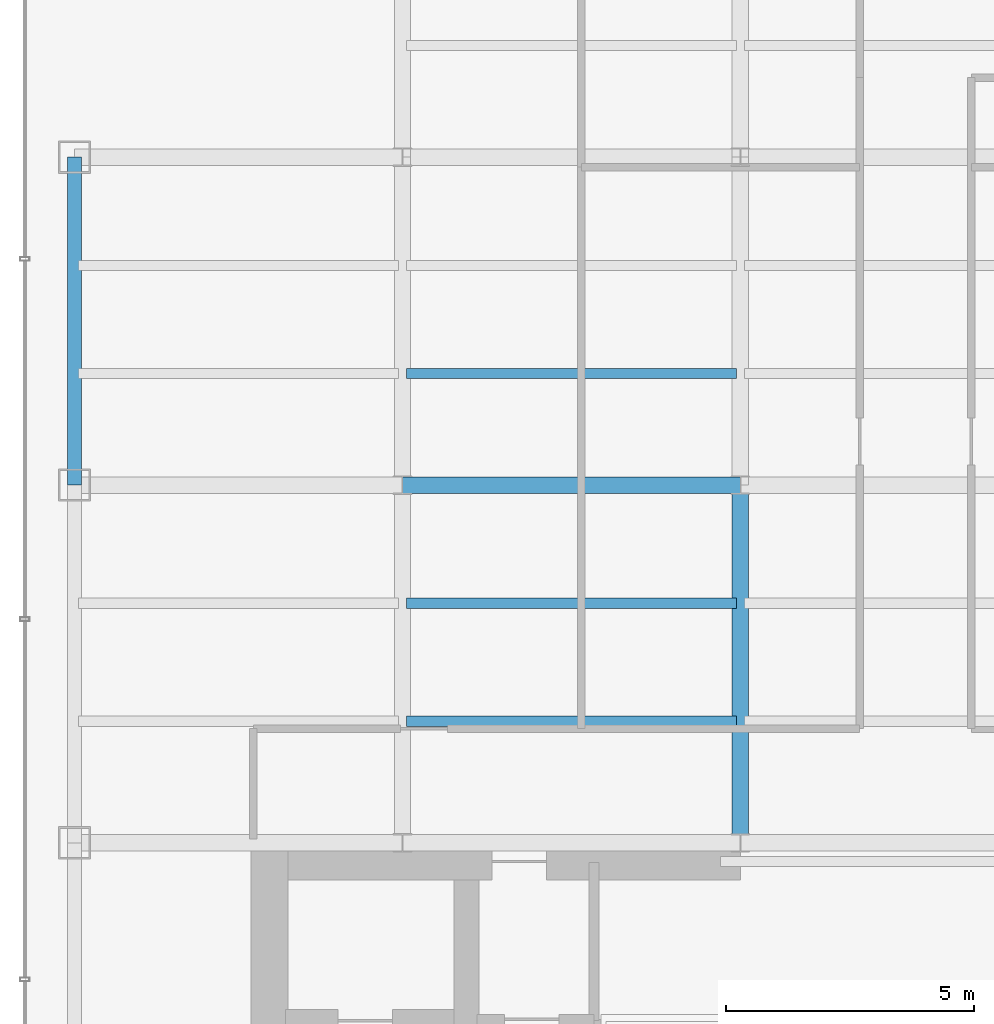
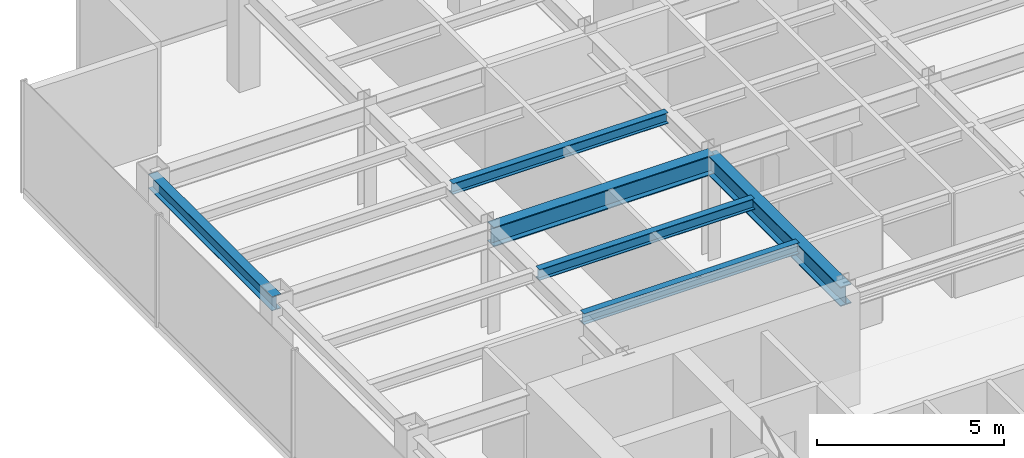
# One storey, part 6 of 25: 6 beams.
"""IFC4 building model written with IfcOpenShell, lengths in metres."""

import ifcopenshell
import ifcopenshell.guid

model = None  # the IFC model being written
_history = None  # IfcOwnerHistory: only IFC2X3 demands one
_inside = {}  # id of a spatial element -> (the spatial element, [elements in it])
_under = {}  # id of a project, library or spatial element -> (it, [spatial elements below it])
_declared = {}  # id of a project -> (the project, [libraries it declares])
_typed = {}  # id of a type object -> (the type object, [elements of that type])
_made_of = {}  # id of a material, layer set ... -> (it, [elements and type objects made of it])


def new_model(schema):
    """Start an empty IFC model of exactly this schema.

    Asked for "IFC4X3", IfcOpenShell would pick the latest addendum, in which some entities
    have other attributes; the version numbers below select the first issue.
    IFC2X3 requires an IfcOwnerHistory on every rooted entity: one is made here for all.
    """
    global model, _history
    if schema == "IFC4X3":
        model = ifcopenshell.file(schema_version=(4, 3, 0, 0))
    else:
        model = ifcopenshell.file(schema=schema)
    _inside.clear()
    _under.clear()
    _declared.clear()
    _typed.clear()
    _made_of.clear()
    _history = None
    if model.schema == "IFC2X3":
        org = make("IfcOrganization", Name="unknown")
        user = make(
            "IfcPersonAndOrganization",
            ThePerson=make("IfcPerson", FamilyName="unknown"),
            TheOrganization=org,
        )
        app = make(
            "IfcApplication",
            ApplicationDeveloper=org,
            Version="unknown",
            ApplicationFullName="unknown",
            ApplicationIdentifier="unknown",
        )
        _history = make(
            "IfcOwnerHistory",
            OwningUser=user,
            OwningApplication=app,
            ChangeAction="ADDED",
            CreationDate=0,
        )
    return model


def make(cls, **values):
    """One entity of the class cls with the attributes given. An attribute that is None is left unset."""
    return model.create_entity(
        cls, **{name: value for name, value in values.items() if value is not None}
    )


def rooted(cls, **values):
    """An entity with a GlobalId (a new one), such as an element, a storey or a relation."""
    return make(cls, GlobalId=ifcopenshell.guid.new(), OwnerHistory=_history, **values)


def si_unit(unit_type, name, prefix=None):
    """IfcSIUnit, for example si_unit("LENGTHUNIT", "METRE", prefix="MILLI")."""
    return make("IfcSIUnit", UnitType=unit_type, Prefix=prefix, Name=name)


def derived_unit(unit_type, elements):
    """IfcDerivedUnit: a product of units, each with its exponent."""
    return make(
        "IfcDerivedUnit",
        Elements=[
            make("IfcDerivedUnitElement", Unit=unit, Exponent=power)
            for unit, power in elements
        ],
        UnitType=unit_type,
    )


def assignment(units):
    """IfcUnitAssignment: the units of a project."""
    return None if units is None else make("IfcUnitAssignment", Units=units)


def point(xyz):
    """IfcCartesianPoint."""
    return None if xyz is None else make("IfcCartesianPoint", Coordinates=xyz)


def direction(xyz):
    """IfcDirection."""
    return None if xyz is None else make("IfcDirection", DirectionRatios=xyz)


def frame(location, z_axis=None, x_axis=None):
    """IfcAxis2Placement3D, a coordinate frame: its origin and axes. An axis left out is left unset."""
    return make(
        "IfcAxis2Placement3D",
        Location=point(location),
        Axis=direction(z_axis),
        RefDirection=direction(x_axis),
    )


def frame_2d(location, x_axis=None):
    """IfcAxis2Placement2D, a coordinate frame in the plane: its origin and x axis."""
    return make(
        "IfcAxis2Placement2D", Location=point(location), RefDirection=direction(x_axis)
    )


def origin():
    """The frame at (0, 0, 0) with its axes left unset."""
    return frame((0.0, 0.0, 0.0))


def origin_2d():
    """The frame at (0, 0) in the plane with its x axis left unset."""
    return frame_2d((0.0, 0.0))


def place(relative_to, where):
    """IfcLocalPlacement: puts the frame where relative to a parent placement (None: the world)."""
    return make(
        "IfcLocalPlacement", PlacementRelTo=relative_to, RelativePlacement=where
    )


def context(
    kind, dimensions, precision=None, world=None, true_north=None, identifier=None
):
    """IfcGeometricRepresentationContext, for example the 3D "Model" context."""
    return make(
        "IfcGeometricRepresentationContext",
        ContextIdentifier=identifier,
        ContextType=kind,
        CoordinateSpaceDimension=dimensions,
        Precision=precision,
        WorldCoordinateSystem=world,
        TrueNorth=true_north,
    )


def subcontext(parent, identifier, kind, view, scale=None):
    """IfcGeometricRepresentationSubContext, for example "Body" below "Model"."""
    return make(
        "IfcGeometricRepresentationSubContext",
        ContextIdentifier=identifier,
        ContextType=kind,
        ParentContext=parent,
        TargetScale=scale,
        TargetView=view,
    )


def project(units=None, contexts=None):
    """IfcProject with its units and contexts."""
    return rooted(
        "IfcProject",
        Name="project",
        RepresentationContexts=contexts,
        UnitsInContext=assignment(units),
    )


def spatial(cls, under=None, at=None, **own):
    """A site, building, storey or space (cls), placed at a placement, below another one or the project."""
    s = rooted(cls, ObjectPlacement=at, **own)
    if under is not None:
        _under.setdefault(under.id(), (under, []))[1].append(s)
    return s


def profile(cls, at=None, kind="AREA", **sizes):
    """A parametric profile (cls). Its sizes go by their IFC names, for example OverallWidth=200.0."""
    return make(cls, ProfileType=kind, Position=at, **sizes)


def i_section(**sizes):
    """IfcIShapeProfileDef."""
    return profile("IfcIShapeProfileDef", **sizes)


def extrude(swept, where, along, depth):
    """IfcExtrudedAreaSolid: the profile swept, set in the frame where, extruded along a direction by depth."""
    return make(
        "IfcExtrudedAreaSolid",
        SweptArea=swept,
        Position=where,
        ExtrudedDirection=direction(along),
        Depth=depth,
    )


def shape(context_of_items, identifier, shape_type, items):
    """IfcShapeRepresentation: the items that make up one representation, for example the "Body"."""
    return make(
        "IfcShapeRepresentation",
        ContextOfItems=context_of_items,
        RepresentationIdentifier=identifier,
        RepresentationType=shape_type,
        Items=items,
    )


def source(mapping_origin, context_of_items, identifier, shape_type, items):
    """IfcRepresentationMap: a shape defined once, which mapped items show again and again."""
    return make(
        "IfcRepresentationMap",
        MappingOrigin=mapping_origin,
        MappedRepresentation=shape(context_of_items, identifier, shape_type, items),
    )


def transform(
    local_origin,
    x_axis=None,
    y_axis=None,
    z_axis=None,
    scale=None,
    scale2=None,
    scale3=None,
    uniform=True,
):
    """IfcCartesianTransformationOperator3D, or its non-uniform kind. x_axis, y_axis, z_axis: its Axis1, 2, 3."""
    if uniform:
        return make(
            "IfcCartesianTransformationOperator3D",
            Axis1=direction(x_axis),
            Axis2=direction(y_axis),
            LocalOrigin=point(local_origin),
            Scale=scale,
            Axis3=direction(z_axis),
        )
    return make(
        "IfcCartesianTransformationOperator3DnonUniform",
        Axis1=direction(x_axis),
        Axis2=direction(y_axis),
        LocalOrigin=point(local_origin),
        Scale=scale,
        Axis3=direction(z_axis),
        Scale2=scale2,
        Scale3=scale3,
    )


def mapped(mapping_source, mapping_target):
    """IfcMappedItem: shows the shape of a source again, moved by a transform."""
    return make(
        "IfcMappedItem", MappingSource=mapping_source, MappingTarget=mapping_target
    )


def material(Name=None, Category=None):
    """IfcMaterial."""
    return make("IfcMaterial", Name=Name, Category=Category)


def material_profile(
    of_material, cross_section, Name=None, Category=None, Priority=None
):
    """IfcMaterialProfile: a cross section and its material."""
    return make(
        "IfcMaterialProfile",
        Name=Name,
        Material=of_material,
        Profile=cross_section,
        Priority=Priority,
        Category=Category,
    )


def profile_set(profiles, Name=None, composite=None):
    """IfcMaterialProfileSet."""
    return make(
        "IfcMaterialProfileSet",
        Name=Name,
        MaterialProfiles=profiles,
        CompositeProfile=composite,
    )


def made_of(thing, what):
    """Note that an element or type object is made of a material, layer set ...; save() writes the relation."""
    if what is not None:
        _made_of.setdefault(what.id(), (what, []))[1].append(thing)
    return thing


def type_object(cls, material=None, **own):
    """A type object (cls), such as IfcWallType, which elements share."""
    return made_of(rooted(cls, **own), material)


def element(
    cls,
    number,
    at=None,
    inside=None,
    cuts=None,
    type_object=None,
    material=None,
    context=None,
    identifier="Body",
    shape_type=None,
    held_by="IfcProductDefinitionShape",
    body=None,
    shapes=None,
    **own,
):
    """One element of the class cls, such as IfcWall. Its Tag is "e" and its number.

    at: its placement. inside: the storey or other place that contains it. cuts: it is an
    opening in that element (IfcRelVoidsElement). A single representation is given by context,
    identifier, shape_type and body (its items); several are given by shapes. held_by: the class
    of the entity that holds the representations. save() writes the other relations.
    """
    e = rooted(cls, Tag="e%d" % number, ObjectPlacement=at, **own)
    if body is not None:
        shapes = [shape(context, identifier, shape_type, body)]
    if shapes is not None:
        e.Representation = make(held_by, Representations=shapes)
    if inside is not None:
        _inside.setdefault(inside.id(), (inside, []))[1].append(e)
    if cuts is not None:
        rooted(
            "IfcRelVoidsElement", RelatingBuildingElement=cuts, RelatedOpeningElement=e
        )
    if type_object is not None:
        _typed.setdefault(type_object.id(), (type_object, []))[1].append(e)
    return made_of(e, material)


def aggregate(whole, parts):
    """IfcRelAggregates: a whole, such as a stair, and the parts it consists of."""
    return rooted("IfcRelAggregates", RelatingObject=whole, RelatedObjects=parts)


def save(model, path):
    """Write the relations noted so far, then the file.

    IfcRelAggregates (storeys below a building ...), IfcRelContainedInSpatialStructure (elements
    in a storey), IfcRelDefinesByType, IfcRelAssociatesMaterial and IfcRelDeclares: one each for
    every whole, place, type object, material and project.
    """
    for whole, parts in _under.values():
        aggregate(whole, parts)
    for where, things in _inside.values():
        rooted(
            "IfcRelContainedInSpatialStructure",
            RelatedElements=things,
            RelatingStructure=where,
        )
    for kind, things in _typed.values():
        rooted("IfcRelDefinesByType", RelatedObjects=things, RelatingType=kind)
    for what, things in _made_of.values():
        rooted("IfcRelAssociatesMaterial", RelatedObjects=things, RelatingMaterial=what)
    for by, libraries in _declared.values():
        rooted("IfcRelDeclares", RelatingContext=by, RelatedDefinitions=libraries)
    model.write(path)


model = new_model("IFC4")

# Units and contexts
model_context = context("Model", 3, precision=1e-05, world=origin(), true_north=direction((0.0, 1.0)))
body_context = subcontext(model_context, "Body", "Model", "MODEL_VIEW")
ifc_project = project(units=[si_unit("LENGTHUNIT", "METRE"), si_unit("AREAUNIT", "SQUARE_METRE"), si_unit("VOLUMEUNIT", "CUBIC_METRE"), si_unit("PLANEANGLEUNIT", "RADIAN"), si_unit("MASSUNIT", "GRAM", prefix="KILO"), derived_unit("THERMALTRANSMITTANCEUNIT", [(si_unit("POWERUNIT", "WATT"), 1), (si_unit("LENGTHUNIT", "METRE"), -2), (si_unit("THERMODYNAMICTEMPERATUREUNIT", "KELVIN"), -1)])], contexts=[model_context])

# Site, building, storey
site_placement = place(None, origin())
site = spatial("IfcSite", under=ifc_project, at=site_placement, CompositionType="ELEMENT")
building_placement = place(site_placement, origin())
building = spatial("IfcBuilding", under=site, at=building_placement, Name="Skarnbrae Concourse Arena and Tower", CompositionType="ELEMENT")
storey_placement = place(building_placement, frame((0.0, 0.0, 173.449951171875)))
storey = spatial("IfcBuildingStorey", under=building, at=storey_placement, Name="L44", CompositionType="ELEMENT", Elevation=173.449951171875)

# Beams
ifc_material = material(Name="Steel CSA G40.21 350W", Category="steel")
ifc_material_profile_1 = material_profile(ifc_material, i_section(OverallWidth=0.3291015625, OverallDepth=0.635009765625, WebThickness=0.017822265625, FlangeThickness=0.031005859375, at=origin_2d()), Name="W610X241")
ifc_profile_set_1 = profile_set([ifc_material_profile_1], Name="Steel CSA G40.21 350W")
beam_type_1 = type_object("IfcBeamType", Name="BM-GIRD-W610X241", PredefinedType="BEAM", material=ifc_profile_set_1)
shared_shape_1 = source(origin(), body_context, "Body", "SweptSolid", [
    extrude(i_section(OverallWidth=0.3291015625, OverallDepth=0.635009765625, WebThickness=0.017822265625, FlangeThickness=0.031005859375, at=origin_2d()), origin(), (0.0, 0.0, 1.0), 6.7998046875),
])
beam_1_placement = place(storey_placement, frame((7.60009765625, 21.199951171875, 3.08251953125), z_axis=(1.0, 0.0, 0.0), x_axis=(0.0, 1.0, 0.0)))
element("IfcBeam", 1, at=beam_1_placement, inside=storey, type_object=beam_type_1, Name="L44 Primary E-W girder Y21.2-2", PredefinedType="BEAM", context=body_context, shape_type="MappedRepresentation", body=[
    mapped(shared_shape_1, transform((0.0, 0.0, 0.0))),
])
ifc_material_profile_2 = material_profile(ifc_material, i_section(OverallWidth=0.280029296875, OverallDepth=0.462890625, WebThickness=0.0107421875, FlangeThickness=0.017333984375, at=origin_2d()), Name="W460X113")
ifc_profile_set_2 = profile_set([ifc_material_profile_2], Name="Steel CSA G40.21 350W")
beam_type_2 = type_object("IfcBeamType", Name="BM-SPAN-W460X113", PredefinedType="SPANDREL", material=ifc_profile_set_2)
shared_shape_2 = source(origin(), body_context, "Body", "SweptSolid", [
    extrude(i_section(OverallWidth=0.280029296875, OverallDepth=0.462890625, WebThickness=0.0107421875, FlangeThickness=0.017333984375, at=origin_2d()), origin(), (0.0, 0.0, 1.0), 6.60009765625),
])
beam_2_placement = place(storey_placement, frame((1.0, 21.199951171875, 3.16845703125), z_axis=(0.0, 1.0, 0.0), x_axis=(-1.0, 0.0, 0.0)))
element("IfcBeam", 2, at=beam_2_placement, inside=storey, type_object=beam_type_2, Name="L44 Perimeter spandrel X1.0-3", PredefinedType="SPANDREL", context=body_context, shape_type="MappedRepresentation", body=[
    mapped(shared_shape_2, transform((0.0, 0.0, 0.0))),
])
shared_shape_3 = source(origin(), body_context, "Body", "SweptSolid", [
    extrude(i_section(OverallWidth=0.3291015625, OverallDepth=0.635009765625, WebThickness=0.017822265625, FlangeThickness=0.031005859375, at=origin_2d()), origin(), (0.0, 0.0, 1.0), 7.199951171875),
])
beam_3_placement = place(storey_placement, frame((14.39990234375, 14.0, 3.08251953125), z_axis=(0.0, 1.0, 0.0), x_axis=(-1.0, 0.0, 0.0)))
element("IfcBeam", 3, at=beam_3_placement, inside=storey, type_object=beam_type_1, Name="L44 Primary N-S girder X14.4-1", PredefinedType="BEAM", context=body_context, shape_type="MappedRepresentation", body=[
    mapped(shared_shape_3, transform((0.0, 0.0, 0.0))),
])
ifc_material_profile_3 = material_profile(ifc_material, i_section(OverallWidth=0.205078125, OverallDepth=0.35400390625, WebThickness=0.009521484375, FlangeThickness=0.016845703125, at=origin_2d()), Name="W360X79")
ifc_profile_set_3 = profile_set([ifc_material_profile_3], Name="Steel CSA G40.21 350W")
beam_type_3 = type_object("IfcBeamType", Name="BM-JOIST-W360X79", PredefinedType="JOIST", material=ifc_profile_set_3)
shared_shape_4 = source(origin(), body_context, "Body", "SweptSolid", [
    extrude(i_section(OverallWidth=0.205078125, OverallDepth=0.35400390625, WebThickness=0.009521484375, FlangeThickness=0.016845703125, at=origin_2d()), origin(), (0.0, 0.0, 1.0), 6.64013671875),
])
for number, where, z_axis, x_axis, name in (
    (4, (7.679931640625, 16.447998046875, 3.22314453125), (1.0, 0.0, 0.0), (0.0, 1.0, 0.0), "L44 Secondary floor joist 1.1.2"),
    (5, (7.679931640625, 18.823974609375, 3.22314453125), (1.0, 0.0, 0.0), (0.0, 1.0, 0.0), "L44 Secondary floor joist 1.2.2"),
    (6, (7.679931640625, 23.444091796875, 3.22314453125), (1.0, 0.0, 0.0), (0.0, 1.0, 0.0), "L44 Secondary floor joist 2.1.2"),
):
    element("IfcBeam", number, at=place(storey_placement, frame(where, z_axis=z_axis, x_axis=x_axis)), inside=storey, type_object=beam_type_3, Name=name, PredefinedType="JOIST", context=body_context, shape_type="MappedRepresentation", body=[
        mapped(shared_shape_4, transform((0.0, 0.0, 0.0))),
    ])

save(model, "model.ifc")
